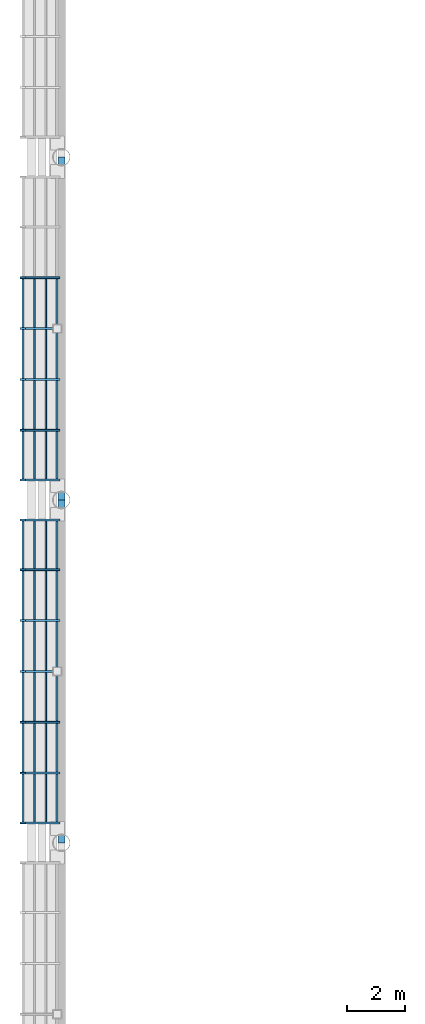
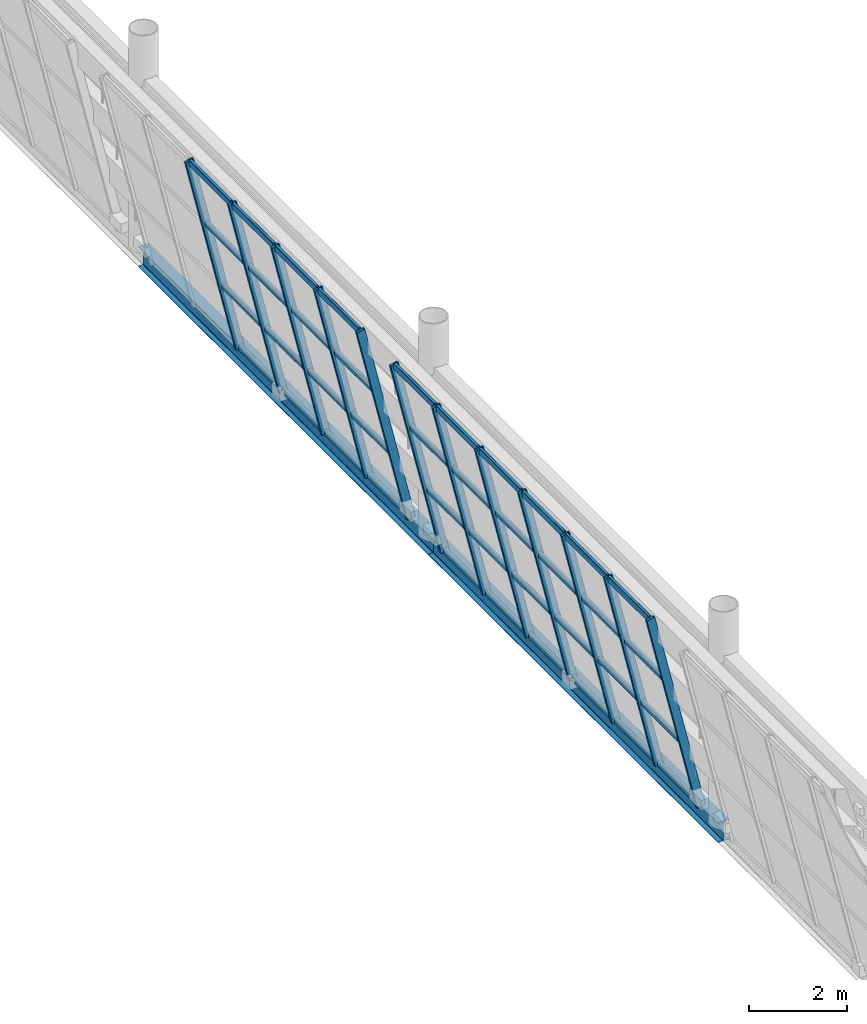
# One storey, part 32 of 175: 52 members, 2 beams, 2 elements without a shape of their own.
"""IFC4 building model written with IfcOpenShell, lengths in metres."""

from ifc_helpers import new_model, si_unit, direction, frame, origin, origin_2d, place, context, subcontext, project, spatial, hollow_rectangle, i_section, extrude, material, material_profile, profile_set, type_object, element, aggregate, save


model = new_model("IFC4")

# Units and contexts
model_context = context("Model", 3, precision=1e-05, world=origin(), true_north=direction((0.0, 1.0)))
body_context = subcontext(model_context, "Body", "Model", "MODEL_VIEW")
ifc_project = project(units=[si_unit("LENGTHUNIT", "METRE"), si_unit("AREAUNIT", "SQUARE_METRE"), si_unit("VOLUMEUNIT", "CUBIC_METRE"), si_unit("PLANEANGLEUNIT", "RADIAN"), si_unit("MASSUNIT", "GRAM", prefix="KILO")], contexts=[model_context])

# Site, building, storey
site_placement = place(None, origin())
site = spatial("IfcSite", under=ifc_project, at=site_placement, CompositionType="ELEMENT")
building_placement = place(site_placement, origin())
building = spatial("IfcBuilding", under=site, at=building_placement, Name="Brelvane Convention Centre", CompositionType="ELEMENT")
storey_placement = place(building_placement, frame((0.0, 0.0, 5.39990234375)))
storey = spatial("IfcBuildingStorey", under=building, at=storey_placement, Name="L01", CompositionType="ELEMENT", Elevation=5.39990234375)

# Curtain wall, members
ifc_material_1 = material(Name="Anodised Aluminium Alloy 6063-T6", Category="aluminium")
curtain_wall_type = type_object("IfcCurtainWallType", Name="Curtain Wall CW-HULL-S", PredefinedType="USERDEFINED", material=ifc_material_1)
curtain_wall_1_placement = place(storey_placement, origin())
curtain_wall_1 = element("IfcCurtainWall", 1, at=curtain_wall_1_placement, inside=storey, type_object=curtain_wall_type, Name="Curtain Wall CW-HULL-S L01-HULL-W-L01-4", ObjectType="UNITISED", PredefinedType="USERDEFINED")
ifc_material_2 = material(Name="Anodised Aluminium Alloy 6063-T6", Category="aluminium")
ifc_material_profile_1 = material_profile(ifc_material_2, hollow_rectangle(XDim=0.074951171875, YDim=0.199951171875, WallThickness=0.0048828125, InnerFilletRadius=0.0048828125, OuterFilletRadius=0.010009765625, at=origin_2d()), Name="ALU-M 200x75x5.0")
ifc_profile_set_1 = profile_set([ifc_material_profile_1], Name="Anodised Aluminium Alloy 6063-T6")
member_type_1 = type_object("IfcMemberType", Name="Curtain Mullion CW-M2", PredefinedType="MULLION", material=ifc_profile_set_1)
member_1_placement = place(storey_placement, frame((-0.139892578125, 64.887451171875, 0.02001953125), z_axis=(-0.228384734386, 0.0, 0.973570959458), x_axis=(0.0, -1.0, 0.0)))
member_1 = element("IfcMember", 2, at=member_1_placement, type_object=member_type_1, Name="CW-HULL-S mullion 1", PredefinedType="MULLION", context=body_context, shape_type="SweptSolid", body=[
    extrude(hollow_rectangle(XDim=0.074951171875, YDim=0.199951171875, WallThickness=0.0048828125, InnerFilletRadius=0.0048828125, OuterFilletRadius=0.010009765625, at=origin_2d()), origin(), (0.0, 0.0, 1.0), 5.197509765625),
])
member_2_placement = place(storey_placement, frame((-0.139892578125, 66.60009765625, 0.02001953125), z_axis=(-0.228384734386, 0.0, 0.973570959458), x_axis=(0.0, -1.0, 0.0)))
member_2 = element("IfcMember", 3, at=member_2_placement, type_object=member_type_1, Name="CW-HULL-S mullion 2", PredefinedType="MULLION", context=body_context, shape_type="SweptSolid", body=[
    extrude(hollow_rectangle(XDim=0.074951171875, YDim=0.199951171875, WallThickness=0.0048828125, InnerFilletRadius=0.0048828125, OuterFilletRadius=0.010009765625, at=origin_2d()), origin(), (0.0, 0.0, 1.0), 5.197509765625),
])
member_3_placement = place(storey_placement, frame((-0.139892578125, 68.35009765625, 0.02001953125), z_axis=(-0.228384734386, 0.0, 0.973570959458), x_axis=(0.0, -1.0, 0.0)))
member_3 = element("IfcMember", 4, at=member_3_placement, type_object=member_type_1, Name="CW-HULL-S mullion 3", PredefinedType="MULLION", context=body_context, shape_type="SweptSolid", body=[
    extrude(hollow_rectangle(XDim=0.074951171875, YDim=0.199951171875, WallThickness=0.0048828125, InnerFilletRadius=0.0048828125, OuterFilletRadius=0.010009765625, at=origin_2d()), origin(), (0.0, 0.0, 1.0), 5.197509765625),
])
member_4_placement = place(storey_placement, frame((-0.139892578125, 70.10009765625, 0.02001953125), z_axis=(-0.228384734386, 0.0, 0.973570959458), x_axis=(0.0, -1.0, 0.0)))
member_4 = element("IfcMember", 5, at=member_4_placement, type_object=member_type_1, Name="CW-HULL-S mullion 4", PredefinedType="MULLION", context=body_context, shape_type="SweptSolid", body=[
    extrude(hollow_rectangle(XDim=0.074951171875, YDim=0.199951171875, WallThickness=0.0048828125, InnerFilletRadius=0.0048828125, OuterFilletRadius=0.010009765625, at=origin_2d()), origin(), (0.0, 0.0, 1.0), 5.197509765625),
])
member_5_placement = place(storey_placement, frame((-0.139892578125, 71.85009765625, 0.02001953125), z_axis=(-0.228384734386, 0.0, 0.973570959458), x_axis=(0.0, -1.0, 0.0)))
member_5 = element("IfcMember", 6, at=member_5_placement, type_object=member_type_1, Name="CW-HULL-S mullion 5", PredefinedType="MULLION", context=body_context, shape_type="SweptSolid", body=[
    extrude(hollow_rectangle(XDim=0.074951171875, YDim=0.199951171875, WallThickness=0.0048828125, InnerFilletRadius=0.0048828125, OuterFilletRadius=0.010009765625, at=origin_2d()), origin(), (0.0, 0.0, 1.0), 5.197509765625),
])
member_6_placement = place(storey_placement, frame((-0.139892578125, 73.60009765625, 0.02001953125), z_axis=(-0.228384734386, 0.0, 0.973570959458), x_axis=(0.0, -1.0, 0.0)))
member_6 = element("IfcMember", 7, at=member_6_placement, type_object=member_type_1, Name="CW-HULL-S mullion 6", PredefinedType="MULLION", context=body_context, shape_type="SweptSolid", body=[
    extrude(hollow_rectangle(XDim=0.074951171875, YDim=0.199951171875, WallThickness=0.0048828125, InnerFilletRadius=0.0048828125, OuterFilletRadius=0.010009765625, at=origin_2d()), origin(), (0.0, 0.0, 1.0), 5.197509765625),
])
member_7_placement = place(storey_placement, frame((-0.139892578125, 75.3125, 0.02001953125), z_axis=(-0.228384734386, 0.0, 0.973570959458), x_axis=(0.0, -1.0, 0.0)))
member_7 = element("IfcMember", 8, at=member_7_placement, type_object=member_type_1, Name="CW-HULL-S mullion 7", PredefinedType="MULLION", context=body_context, shape_type="SweptSolid", body=[
    extrude(hollow_rectangle(XDim=0.074951171875, YDim=0.199951171875, WallThickness=0.0048828125, InnerFilletRadius=0.0048828125, OuterFilletRadius=0.010009765625, at=origin_2d()), origin(), (0.0, 0.0, 1.0), 5.197509765625),
])

curtain_wall_2_placement = place(storey_placement, origin())
curtain_wall_2 = element("IfcCurtainWall", 9, at=curtain_wall_2_placement, inside=storey, type_object=curtain_wall_type, Name="Curtain Wall CW-HULL-S L01-HULL-W-L01-5", ObjectType="UNITISED", PredefinedType="USERDEFINED")
member_8_placement = place(storey_placement, frame((-0.139892578125, 76.6875, 0.02001953125), z_axis=(-0.228384734386, 0.0, 0.973570959458), x_axis=(0.0, -1.0, 0.0)))
member_8 = element("IfcMember", 10, at=member_8_placement, type_object=member_type_1, Name="CW-HULL-S mullion 1", PredefinedType="MULLION", context=body_context, shape_type="SweptSolid", body=[
    extrude(hollow_rectangle(XDim=0.074951171875, YDim=0.199951171875, WallThickness=0.0048828125, InnerFilletRadius=0.0048828125, OuterFilletRadius=0.010009765625, at=origin_2d()), origin(), (0.0, 0.0, 1.0), 5.197509765625),
])
member_9_placement = place(storey_placement, frame((-0.139892578125, 78.39990234375, 0.02001953125), z_axis=(-0.228384734386, 0.0, 0.973570959458), x_axis=(0.0, -1.0, 0.0)))
member_9 = element("IfcMember", 11, at=member_9_placement, type_object=member_type_1, Name="CW-HULL-S mullion 2", PredefinedType="MULLION", context=body_context, shape_type="SweptSolid", body=[
    extrude(hollow_rectangle(XDim=0.074951171875, YDim=0.199951171875, WallThickness=0.0048828125, InnerFilletRadius=0.0048828125, OuterFilletRadius=0.010009765625, at=origin_2d()), origin(), (0.0, 0.0, 1.0), 5.197509765625),
])
member_10_placement = place(storey_placement, frame((-0.139892578125, 80.14990234375, 0.02001953125), z_axis=(-0.228384734386, 0.0, 0.973570959458), x_axis=(0.0, -1.0, 0.0)))
member_10 = element("IfcMember", 12, at=member_10_placement, type_object=member_type_1, Name="CW-HULL-S mullion 3", PredefinedType="MULLION", context=body_context, shape_type="SweptSolid", body=[
    extrude(hollow_rectangle(XDim=0.074951171875, YDim=0.199951171875, WallThickness=0.0048828125, InnerFilletRadius=0.0048828125, OuterFilletRadius=0.010009765625, at=origin_2d()), origin(), (0.0, 0.0, 1.0), 5.197509765625),
])
member_11_placement = place(storey_placement, frame((-0.139892578125, 81.89990234375, 0.02001953125), z_axis=(-0.228384734386, 0.0, 0.973570959458), x_axis=(0.0, -1.0, 0.0)))
member_11 = element("IfcMember", 13, at=member_11_placement, type_object=member_type_1, Name="CW-HULL-S mullion 4", PredefinedType="MULLION", context=body_context, shape_type="SweptSolid", body=[
    extrude(hollow_rectangle(XDim=0.074951171875, YDim=0.199951171875, WallThickness=0.0048828125, InnerFilletRadius=0.0048828125, OuterFilletRadius=0.010009765625, at=origin_2d()), origin(), (0.0, 0.0, 1.0), 5.197509765625),
])
member_12_placement = place(storey_placement, frame((-0.139892578125, 83.64990234375, 0.02001953125), z_axis=(-0.228384734386, 0.0, 0.973570959458), x_axis=(0.0, -1.0, 0.0)))
member_12 = element("IfcMember", 14, at=member_12_placement, type_object=member_type_1, Name="CW-HULL-S mullion 5", PredefinedType="MULLION", context=body_context, shape_type="SweptSolid", body=[
    extrude(hollow_rectangle(XDim=0.074951171875, YDim=0.199951171875, WallThickness=0.0048828125, InnerFilletRadius=0.0048828125, OuterFilletRadius=0.010009765625, at=origin_2d()), origin(), (0.0, 0.0, 1.0), 5.197509765625),
])

# Member
ifc_material_3 = material(Name="Anodised Aluminium Alloy 6063-T6", Category="aluminium")
ifc_material_profile_2 = material_profile(ifc_material_3, hollow_rectangle(XDim=0.070068359375, YDim=0.14990234375, WallThickness=0.00439453125, InnerFilletRadius=0.00439453125, OuterFilletRadius=0.009033203125, at=origin_2d()), Name="ALU-T 150x70x4.5")
ifc_profile_set_2 = profile_set([ifc_material_profile_2], Name="Anodised Aluminium Alloy 6063-T6")
member_type_2 = type_object("IfcMemberType", Name="Curtain Transom CW-T2", PredefinedType="USERDEFINED", material=ifc_profile_set_2)
member_13_placement = place(storey_placement, frame((-0.148193359375, 64.925048828125, 0.05517578125), z_axis=(0.0, 1.0, 0.0), x_axis=(-1.0, 0.0, 0.0)))
member_13 = element("IfcMember", 15, at=member_13_placement, type_object=member_type_2, Name="CW-HULL-S transom 1.1", ObjectType="TRANSOM", PredefinedType="USERDEFINED", context=body_context, shape_type="SweptSolid", body=[
    extrude(hollow_rectangle(XDim=0.070068359375, YDim=0.14990234375, WallThickness=0.00439453125, InnerFilletRadius=0.00439453125, OuterFilletRadius=0.009033203125, at=origin_2d()), origin(), (0.0, 0.0, 1.0), 1.637451171875),
])

member_14_placement = place(storey_placement, frame((-0.53564453125, 64.925048828125, 1.706787109375), z_axis=(0.0, 1.0, 0.0), x_axis=(-1.0, 0.0, 0.0)))
member_14 = element("IfcMember", 16, at=member_14_placement, type_object=member_type_2, Name="CW-HULL-S transom 1.2", ObjectType="TRANSOM", PredefinedType="USERDEFINED", context=body_context, shape_type="SweptSolid", body=[
    extrude(hollow_rectangle(XDim=0.070068359375, YDim=0.14990234375, WallThickness=0.00439453125, InnerFilletRadius=0.00439453125, OuterFilletRadius=0.009033203125, at=origin_2d()), origin(), (0.0, 0.0, 1.0), 1.637451171875),
])

member_15_placement = place(storey_placement, frame((-0.93115234375, 64.925048828125, 3.393310546875), z_axis=(0.0, 1.0, 0.0), x_axis=(-1.0, 0.0, 0.0)))
member_15 = element("IfcMember", 17, at=member_15_placement, type_object=member_type_2, Name="CW-HULL-S transom 1.3", ObjectType="TRANSOM", PredefinedType="USERDEFINED", context=body_context, shape_type="SweptSolid", body=[
    extrude(hollow_rectangle(XDim=0.070068359375, YDim=0.14990234375, WallThickness=0.00439453125, InnerFilletRadius=0.00439453125, OuterFilletRadius=0.009033203125, at=origin_2d()), origin(), (0.0, 0.0, 1.0), 1.637451171875),
])

member_16_placement = place(storey_placement, frame((-1.318603515625, 64.925048828125, 5.045166015625), z_axis=(0.0, 1.0, 0.0), x_axis=(-1.0, 0.0, 0.0)))
member_16 = element("IfcMember", 18, at=member_16_placement, type_object=member_type_2, Name="CW-HULL-S transom 1.4", ObjectType="TRANSOM", PredefinedType="USERDEFINED", context=body_context, shape_type="SweptSolid", body=[
    extrude(hollow_rectangle(XDim=0.070068359375, YDim=0.14990234375, WallThickness=0.00439453125, InnerFilletRadius=0.00439453125, OuterFilletRadius=0.009033203125, at=origin_2d()), origin(), (0.0, 0.0, 1.0), 1.637451171875),
])

member_17_placement = place(storey_placement, frame((-0.148193359375, 66.637451171875, 0.05517578125), z_axis=(0.0, 1.0, 0.0), x_axis=(-1.0, 0.0, 0.0)))
member_17 = element("IfcMember", 19, at=member_17_placement, type_object=member_type_2, Name="CW-HULL-S transom 2.1", ObjectType="TRANSOM", PredefinedType="USERDEFINED", context=body_context, shape_type="SweptSolid", body=[
    extrude(hollow_rectangle(XDim=0.070068359375, YDim=0.14990234375, WallThickness=0.00439453125, InnerFilletRadius=0.00439453125, OuterFilletRadius=0.009033203125, at=origin_2d()), origin(), (0.0, 0.0, 1.0), 1.675048828125),
])

member_18_placement = place(storey_placement, frame((-0.53564453125, 66.637451171875, 1.706787109375), z_axis=(0.0, 1.0, 0.0), x_axis=(-1.0, 0.0, 0.0)))
member_18 = element("IfcMember", 20, at=member_18_placement, type_object=member_type_2, Name="CW-HULL-S transom 2.2", ObjectType="TRANSOM", PredefinedType="USERDEFINED", context=body_context, shape_type="SweptSolid", body=[
    extrude(hollow_rectangle(XDim=0.070068359375, YDim=0.14990234375, WallThickness=0.00439453125, InnerFilletRadius=0.00439453125, OuterFilletRadius=0.009033203125, at=origin_2d()), origin(), (0.0, 0.0, 1.0), 1.675048828125),
])

member_19_placement = place(storey_placement, frame((-0.93115234375, 66.637451171875, 3.393310546875), z_axis=(0.0, 1.0, 0.0), x_axis=(-1.0, 0.0, 0.0)))
member_19 = element("IfcMember", 21, at=member_19_placement, type_object=member_type_2, Name="CW-HULL-S transom 2.3", ObjectType="TRANSOM", PredefinedType="USERDEFINED", context=body_context, shape_type="SweptSolid", body=[
    extrude(hollow_rectangle(XDim=0.070068359375, YDim=0.14990234375, WallThickness=0.00439453125, InnerFilletRadius=0.00439453125, OuterFilletRadius=0.009033203125, at=origin_2d()), origin(), (0.0, 0.0, 1.0), 1.675048828125),
])

member_20_placement = place(storey_placement, frame((-1.318603515625, 66.637451171875, 5.045166015625), z_axis=(0.0, 1.0, 0.0), x_axis=(-1.0, 0.0, 0.0)))
member_20 = element("IfcMember", 22, at=member_20_placement, type_object=member_type_2, Name="CW-HULL-S transom 2.4", ObjectType="TRANSOM", PredefinedType="USERDEFINED", context=body_context, shape_type="SweptSolid", body=[
    extrude(hollow_rectangle(XDim=0.070068359375, YDim=0.14990234375, WallThickness=0.00439453125, InnerFilletRadius=0.00439453125, OuterFilletRadius=0.009033203125, at=origin_2d()), origin(), (0.0, 0.0, 1.0), 1.675048828125),
])

member_21_placement = place(storey_placement, frame((-0.148193359375, 68.387451171875, 0.05517578125), z_axis=(0.0, 1.0, 0.0), x_axis=(-1.0, 0.0, 0.0)))
member_21 = element("IfcMember", 23, at=member_21_placement, type_object=member_type_2, Name="CW-HULL-S transom 3.1", ObjectType="TRANSOM", PredefinedType="USERDEFINED", context=body_context, shape_type="SweptSolid", body=[
    extrude(hollow_rectangle(XDim=0.070068359375, YDim=0.14990234375, WallThickness=0.00439453125, InnerFilletRadius=0.00439453125, OuterFilletRadius=0.009033203125, at=origin_2d()), origin(), (0.0, 0.0, 1.0), 1.675048828125),
])

member_22_placement = place(storey_placement, frame((-0.53564453125, 68.387451171875, 1.706787109375), z_axis=(0.0, 1.0, 0.0), x_axis=(-1.0, 0.0, 0.0)))
member_22 = element("IfcMember", 24, at=member_22_placement, type_object=member_type_2, Name="CW-HULL-S transom 3.2", ObjectType="TRANSOM", PredefinedType="USERDEFINED", context=body_context, shape_type="SweptSolid", body=[
    extrude(hollow_rectangle(XDim=0.070068359375, YDim=0.14990234375, WallThickness=0.00439453125, InnerFilletRadius=0.00439453125, OuterFilletRadius=0.009033203125, at=origin_2d()), origin(), (0.0, 0.0, 1.0), 1.675048828125),
])

member_23_placement = place(storey_placement, frame((-0.93115234375, 68.387451171875, 3.393310546875), z_axis=(0.0, 1.0, 0.0), x_axis=(-1.0, 0.0, 0.0)))
member_23 = element("IfcMember", 25, at=member_23_placement, type_object=member_type_2, Name="CW-HULL-S transom 3.3", ObjectType="TRANSOM", PredefinedType="USERDEFINED", context=body_context, shape_type="SweptSolid", body=[
    extrude(hollow_rectangle(XDim=0.070068359375, YDim=0.14990234375, WallThickness=0.00439453125, InnerFilletRadius=0.00439453125, OuterFilletRadius=0.009033203125, at=origin_2d()), origin(), (0.0, 0.0, 1.0), 1.675048828125),
])

member_24_placement = place(storey_placement, frame((-1.318603515625, 68.387451171875, 5.045166015625), z_axis=(0.0, 1.0, 0.0), x_axis=(-1.0, 0.0, 0.0)))
member_24 = element("IfcMember", 26, at=member_24_placement, type_object=member_type_2, Name="CW-HULL-S transom 3.4", ObjectType="TRANSOM", PredefinedType="USERDEFINED", context=body_context, shape_type="SweptSolid", body=[
    extrude(hollow_rectangle(XDim=0.070068359375, YDim=0.14990234375, WallThickness=0.00439453125, InnerFilletRadius=0.00439453125, OuterFilletRadius=0.009033203125, at=origin_2d()), origin(), (0.0, 0.0, 1.0), 1.675048828125),
])

member_25_placement = place(storey_placement, frame((-0.148193359375, 70.137451171875, 0.05517578125), z_axis=(0.0, 1.0, 0.0), x_axis=(-1.0, 0.0, 0.0)))
member_25 = element("IfcMember", 27, at=member_25_placement, type_object=member_type_2, Name="CW-HULL-S transom 4.1", ObjectType="TRANSOM", PredefinedType="USERDEFINED", context=body_context, shape_type="SweptSolid", body=[
    extrude(hollow_rectangle(XDim=0.070068359375, YDim=0.14990234375, WallThickness=0.00439453125, InnerFilletRadius=0.00439453125, OuterFilletRadius=0.009033203125, at=origin_2d()), origin(), (0.0, 0.0, 1.0), 1.675048828125),
])

member_26_placement = place(storey_placement, frame((-0.53564453125, 70.137451171875, 1.706787109375), z_axis=(0.0, 1.0, 0.0), x_axis=(-1.0, 0.0, 0.0)))
member_26 = element("IfcMember", 28, at=member_26_placement, type_object=member_type_2, Name="CW-HULL-S transom 4.2", ObjectType="TRANSOM", PredefinedType="USERDEFINED", context=body_context, shape_type="SweptSolid", body=[
    extrude(hollow_rectangle(XDim=0.070068359375, YDim=0.14990234375, WallThickness=0.00439453125, InnerFilletRadius=0.00439453125, OuterFilletRadius=0.009033203125, at=origin_2d()), origin(), (0.0, 0.0, 1.0), 1.675048828125),
])

member_27_placement = place(storey_placement, frame((-0.93115234375, 70.137451171875, 3.393310546875), z_axis=(0.0, 1.0, 0.0), x_axis=(-1.0, 0.0, 0.0)))
member_27 = element("IfcMember", 29, at=member_27_placement, type_object=member_type_2, Name="CW-HULL-S transom 4.3", ObjectType="TRANSOM", PredefinedType="USERDEFINED", context=body_context, shape_type="SweptSolid", body=[
    extrude(hollow_rectangle(XDim=0.070068359375, YDim=0.14990234375, WallThickness=0.00439453125, InnerFilletRadius=0.00439453125, OuterFilletRadius=0.009033203125, at=origin_2d()), origin(), (0.0, 0.0, 1.0), 1.675048828125),
])

member_28_placement = place(storey_placement, frame((-1.318603515625, 70.137451171875, 5.045166015625), z_axis=(0.0, 1.0, 0.0), x_axis=(-1.0, 0.0, 0.0)))
member_28 = element("IfcMember", 30, at=member_28_placement, type_object=member_type_2, Name="CW-HULL-S transom 4.4", ObjectType="TRANSOM", PredefinedType="USERDEFINED", context=body_context, shape_type="SweptSolid", body=[
    extrude(hollow_rectangle(XDim=0.070068359375, YDim=0.14990234375, WallThickness=0.00439453125, InnerFilletRadius=0.00439453125, OuterFilletRadius=0.009033203125, at=origin_2d()), origin(), (0.0, 0.0, 1.0), 1.675048828125),
])

member_29_placement = place(storey_placement, frame((-0.148193359375, 71.887451171875, 0.05517578125), z_axis=(0.0, 1.0, 0.0), x_axis=(-1.0, 0.0, 0.0)))
member_29 = element("IfcMember", 31, at=member_29_placement, type_object=member_type_2, Name="CW-HULL-S transom 5.1", ObjectType="TRANSOM", PredefinedType="USERDEFINED", context=body_context, shape_type="SweptSolid", body=[
    extrude(hollow_rectangle(XDim=0.070068359375, YDim=0.14990234375, WallThickness=0.00439453125, InnerFilletRadius=0.00439453125, OuterFilletRadius=0.009033203125, at=origin_2d()), origin(), (0.0, 0.0, 1.0), 1.675048828125),
])

member_30_placement = place(storey_placement, frame((-0.53564453125, 71.887451171875, 1.706787109375), z_axis=(0.0, 1.0, 0.0), x_axis=(-1.0, 0.0, 0.0)))
member_30 = element("IfcMember", 32, at=member_30_placement, type_object=member_type_2, Name="CW-HULL-S transom 5.2", ObjectType="TRANSOM", PredefinedType="USERDEFINED", context=body_context, shape_type="SweptSolid", body=[
    extrude(hollow_rectangle(XDim=0.070068359375, YDim=0.14990234375, WallThickness=0.00439453125, InnerFilletRadius=0.00439453125, OuterFilletRadius=0.009033203125, at=origin_2d()), origin(), (0.0, 0.0, 1.0), 1.675048828125),
])

member_31_placement = place(storey_placement, frame((-0.93115234375, 71.887451171875, 3.393310546875), z_axis=(0.0, 1.0, 0.0), x_axis=(-1.0, 0.0, 0.0)))
member_31 = element("IfcMember", 33, at=member_31_placement, type_object=member_type_2, Name="CW-HULL-S transom 5.3", ObjectType="TRANSOM", PredefinedType="USERDEFINED", context=body_context, shape_type="SweptSolid", body=[
    extrude(hollow_rectangle(XDim=0.070068359375, YDim=0.14990234375, WallThickness=0.00439453125, InnerFilletRadius=0.00439453125, OuterFilletRadius=0.009033203125, at=origin_2d()), origin(), (0.0, 0.0, 1.0), 1.675048828125),
])

member_32_placement = place(storey_placement, frame((-1.318603515625, 71.887451171875, 5.045166015625), z_axis=(0.0, 1.0, 0.0), x_axis=(-1.0, 0.0, 0.0)))
member_32 = element("IfcMember", 34, at=member_32_placement, type_object=member_type_2, Name="CW-HULL-S transom 5.4", ObjectType="TRANSOM", PredefinedType="USERDEFINED", context=body_context, shape_type="SweptSolid", body=[
    extrude(hollow_rectangle(XDim=0.070068359375, YDim=0.14990234375, WallThickness=0.00439453125, InnerFilletRadius=0.00439453125, OuterFilletRadius=0.009033203125, at=origin_2d()), origin(), (0.0, 0.0, 1.0), 1.675048828125),
])

member_33_placement = place(storey_placement, frame((-0.148193359375, 73.637451171875, 0.05517578125), z_axis=(0.0, 1.0, 0.0), x_axis=(-1.0, 0.0, 0.0)))
member_33 = element("IfcMember", 35, at=member_33_placement, type_object=member_type_2, Name="CW-HULL-S transom 6.1", ObjectType="TRANSOM", PredefinedType="USERDEFINED", context=body_context, shape_type="SweptSolid", body=[
    extrude(hollow_rectangle(XDim=0.070068359375, YDim=0.14990234375, WallThickness=0.00439453125, InnerFilletRadius=0.00439453125, OuterFilletRadius=0.009033203125, at=origin_2d()), origin(), (0.0, 0.0, 1.0), 1.637451171875),
])

member_34_placement = place(storey_placement, frame((-0.53564453125, 73.637451171875, 1.706787109375), z_axis=(0.0, 1.0, 0.0), x_axis=(-1.0, 0.0, 0.0)))
member_34 = element("IfcMember", 36, at=member_34_placement, type_object=member_type_2, Name="CW-HULL-S transom 6.2", ObjectType="TRANSOM", PredefinedType="USERDEFINED", context=body_context, shape_type="SweptSolid", body=[
    extrude(hollow_rectangle(XDim=0.070068359375, YDim=0.14990234375, WallThickness=0.00439453125, InnerFilletRadius=0.00439453125, OuterFilletRadius=0.009033203125, at=origin_2d()), origin(), (0.0, 0.0, 1.0), 1.637451171875),
])

member_35_placement = place(storey_placement, frame((-0.93115234375, 73.637451171875, 3.393310546875), z_axis=(0.0, 1.0, 0.0), x_axis=(-1.0, 0.0, 0.0)))
member_35 = element("IfcMember", 37, at=member_35_placement, type_object=member_type_2, Name="CW-HULL-S transom 6.3", ObjectType="TRANSOM", PredefinedType="USERDEFINED", context=body_context, shape_type="SweptSolid", body=[
    extrude(hollow_rectangle(XDim=0.070068359375, YDim=0.14990234375, WallThickness=0.00439453125, InnerFilletRadius=0.00439453125, OuterFilletRadius=0.009033203125, at=origin_2d()), origin(), (0.0, 0.0, 1.0), 1.637451171875),
])

member_36_placement = place(storey_placement, frame((-1.318603515625, 73.637451171875, 5.045166015625), z_axis=(0.0, 1.0, 0.0), x_axis=(-1.0, 0.0, 0.0)))
member_36 = element("IfcMember", 38, at=member_36_placement, type_object=member_type_2, Name="CW-HULL-S transom 6.4", ObjectType="TRANSOM", PredefinedType="USERDEFINED", context=body_context, shape_type="SweptSolid", body=[
    extrude(hollow_rectangle(XDim=0.070068359375, YDim=0.14990234375, WallThickness=0.00439453125, InnerFilletRadius=0.00439453125, OuterFilletRadius=0.009033203125, at=origin_2d()), origin(), (0.0, 0.0, 1.0), 1.637451171875),
])

aggregate(curtain_wall_1, [member_1, member_2, member_3, member_4, member_5, member_6, member_7, member_13, member_14, member_15, member_16, member_17, member_18, member_19, member_20, member_21, member_22, member_23, member_24, member_25, member_26, member_27, member_28, member_29, member_30, member_31, member_32, member_33, member_34, member_35, member_36])

member_37_placement = place(storey_placement, frame((-0.148193359375, 76.72509765625, 0.05517578125), z_axis=(0.0, 1.0, 0.0), x_axis=(-1.0, 0.0, 0.0)))
member_37 = element("IfcMember", 39, at=member_37_placement, type_object=member_type_2, Name="CW-HULL-S transom 1.1", ObjectType="TRANSOM", PredefinedType="USERDEFINED", context=body_context, shape_type="SweptSolid", body=[
    extrude(hollow_rectangle(XDim=0.070068359375, YDim=0.14990234375, WallThickness=0.00439453125, InnerFilletRadius=0.00439453125, OuterFilletRadius=0.009033203125, at=origin_2d()), origin(), (0.0, 0.0, 1.0), 1.637451171875),
])

member_38_placement = place(storey_placement, frame((-0.53564453125, 76.72509765625, 1.706787109375), z_axis=(0.0, 1.0, 0.0), x_axis=(-1.0, 0.0, 0.0)))
member_38 = element("IfcMember", 40, at=member_38_placement, type_object=member_type_2, Name="CW-HULL-S transom 1.2", ObjectType="TRANSOM", PredefinedType="USERDEFINED", context=body_context, shape_type="SweptSolid", body=[
    extrude(hollow_rectangle(XDim=0.070068359375, YDim=0.14990234375, WallThickness=0.00439453125, InnerFilletRadius=0.00439453125, OuterFilletRadius=0.009033203125, at=origin_2d()), origin(), (0.0, 0.0, 1.0), 1.637451171875),
])

member_39_placement = place(storey_placement, frame((-0.93115234375, 76.72509765625, 3.393310546875), z_axis=(0.0, 1.0, 0.0), x_axis=(-1.0, 0.0, 0.0)))
member_39 = element("IfcMember", 41, at=member_39_placement, type_object=member_type_2, Name="CW-HULL-S transom 1.3", ObjectType="TRANSOM", PredefinedType="USERDEFINED", context=body_context, shape_type="SweptSolid", body=[
    extrude(hollow_rectangle(XDim=0.070068359375, YDim=0.14990234375, WallThickness=0.00439453125, InnerFilletRadius=0.00439453125, OuterFilletRadius=0.009033203125, at=origin_2d()), origin(), (0.0, 0.0, 1.0), 1.637451171875),
])

member_40_placement = place(storey_placement, frame((-1.318603515625, 76.72509765625, 5.045166015625), z_axis=(0.0, 1.0, 0.0), x_axis=(-1.0, 0.0, 0.0)))
member_40 = element("IfcMember", 42, at=member_40_placement, type_object=member_type_2, Name="CW-HULL-S transom 1.4", ObjectType="TRANSOM", PredefinedType="USERDEFINED", context=body_context, shape_type="SweptSolid", body=[
    extrude(hollow_rectangle(XDim=0.070068359375, YDim=0.14990234375, WallThickness=0.00439453125, InnerFilletRadius=0.00439453125, OuterFilletRadius=0.009033203125, at=origin_2d()), origin(), (0.0, 0.0, 1.0), 1.637451171875),
])

member_41_placement = place(storey_placement, frame((-0.148193359375, 78.4375, 0.05517578125), z_axis=(0.0, 1.0, 0.0), x_axis=(-1.0, 0.0, 0.0)))
member_41 = element("IfcMember", 43, at=member_41_placement, type_object=member_type_2, Name="CW-HULL-S transom 2.1", ObjectType="TRANSOM", PredefinedType="USERDEFINED", context=body_context, shape_type="SweptSolid", body=[
    extrude(hollow_rectangle(XDim=0.070068359375, YDim=0.14990234375, WallThickness=0.00439453125, InnerFilletRadius=0.00439453125, OuterFilletRadius=0.009033203125, at=origin_2d()), origin(), (0.0, 0.0, 1.0), 1.675048828125),
])

member_42_placement = place(storey_placement, frame((-0.53564453125, 78.4375, 1.706787109375), z_axis=(0.0, 1.0, 0.0), x_axis=(-1.0, 0.0, 0.0)))
member_42 = element("IfcMember", 44, at=member_42_placement, type_object=member_type_2, Name="CW-HULL-S transom 2.2", ObjectType="TRANSOM", PredefinedType="USERDEFINED", context=body_context, shape_type="SweptSolid", body=[
    extrude(hollow_rectangle(XDim=0.070068359375, YDim=0.14990234375, WallThickness=0.00439453125, InnerFilletRadius=0.00439453125, OuterFilletRadius=0.009033203125, at=origin_2d()), origin(), (0.0, 0.0, 1.0), 1.675048828125),
])

member_43_placement = place(storey_placement, frame((-0.93115234375, 78.4375, 3.393310546875), z_axis=(0.0, 1.0, 0.0), x_axis=(-1.0, 0.0, 0.0)))
member_43 = element("IfcMember", 45, at=member_43_placement, type_object=member_type_2, Name="CW-HULL-S transom 2.3", ObjectType="TRANSOM", PredefinedType="USERDEFINED", context=body_context, shape_type="SweptSolid", body=[
    extrude(hollow_rectangle(XDim=0.070068359375, YDim=0.14990234375, WallThickness=0.00439453125, InnerFilletRadius=0.00439453125, OuterFilletRadius=0.009033203125, at=origin_2d()), origin(), (0.0, 0.0, 1.0), 1.675048828125),
])

member_44_placement = place(storey_placement, frame((-1.318603515625, 78.4375, 5.045166015625), z_axis=(0.0, 1.0, 0.0), x_axis=(-1.0, 0.0, 0.0)))
member_44 = element("IfcMember", 46, at=member_44_placement, type_object=member_type_2, Name="CW-HULL-S transom 2.4", ObjectType="TRANSOM", PredefinedType="USERDEFINED", context=body_context, shape_type="SweptSolid", body=[
    extrude(hollow_rectangle(XDim=0.070068359375, YDim=0.14990234375, WallThickness=0.00439453125, InnerFilletRadius=0.00439453125, OuterFilletRadius=0.009033203125, at=origin_2d()), origin(), (0.0, 0.0, 1.0), 1.675048828125),
])

member_45_placement = place(storey_placement, frame((-0.148193359375, 80.1875, 0.05517578125), z_axis=(0.0, 1.0, 0.0), x_axis=(-1.0, 0.0, 0.0)))
member_45 = element("IfcMember", 47, at=member_45_placement, type_object=member_type_2, Name="CW-HULL-S transom 3.1", ObjectType="TRANSOM", PredefinedType="USERDEFINED", context=body_context, shape_type="SweptSolid", body=[
    extrude(hollow_rectangle(XDim=0.070068359375, YDim=0.14990234375, WallThickness=0.00439453125, InnerFilletRadius=0.00439453125, OuterFilletRadius=0.009033203125, at=origin_2d()), origin(), (0.0, 0.0, 1.0), 1.675048828125),
])

member_46_placement = place(storey_placement, frame((-0.53564453125, 80.1875, 1.706787109375), z_axis=(0.0, 1.0, 0.0), x_axis=(-1.0, 0.0, 0.0)))
member_46 = element("IfcMember", 48, at=member_46_placement, type_object=member_type_2, Name="CW-HULL-S transom 3.2", ObjectType="TRANSOM", PredefinedType="USERDEFINED", context=body_context, shape_type="SweptSolid", body=[
    extrude(hollow_rectangle(XDim=0.070068359375, YDim=0.14990234375, WallThickness=0.00439453125, InnerFilletRadius=0.00439453125, OuterFilletRadius=0.009033203125, at=origin_2d()), origin(), (0.0, 0.0, 1.0), 1.675048828125),
])

member_47_placement = place(storey_placement, frame((-0.93115234375, 80.1875, 3.393310546875), z_axis=(0.0, 1.0, 0.0), x_axis=(-1.0, 0.0, 0.0)))
member_47 = element("IfcMember", 49, at=member_47_placement, type_object=member_type_2, Name="CW-HULL-S transom 3.3", ObjectType="TRANSOM", PredefinedType="USERDEFINED", context=body_context, shape_type="SweptSolid", body=[
    extrude(hollow_rectangle(XDim=0.070068359375, YDim=0.14990234375, WallThickness=0.00439453125, InnerFilletRadius=0.00439453125, OuterFilletRadius=0.009033203125, at=origin_2d()), origin(), (0.0, 0.0, 1.0), 1.675048828125),
])

member_48_placement = place(storey_placement, frame((-1.318603515625, 80.1875, 5.045166015625), z_axis=(0.0, 1.0, 0.0), x_axis=(-1.0, 0.0, 0.0)))
member_48 = element("IfcMember", 50, at=member_48_placement, type_object=member_type_2, Name="CW-HULL-S transom 3.4", ObjectType="TRANSOM", PredefinedType="USERDEFINED", context=body_context, shape_type="SweptSolid", body=[
    extrude(hollow_rectangle(XDim=0.070068359375, YDim=0.14990234375, WallThickness=0.00439453125, InnerFilletRadius=0.00439453125, OuterFilletRadius=0.009033203125, at=origin_2d()), origin(), (0.0, 0.0, 1.0), 1.675048828125),
])

member_49_placement = place(storey_placement, frame((-0.148193359375, 81.9375, 0.05517578125), z_axis=(0.0, 1.0, 0.0), x_axis=(-1.0, 0.0, 0.0)))
member_49 = element("IfcMember", 51, at=member_49_placement, type_object=member_type_2, Name="CW-HULL-S transom 4.1", ObjectType="TRANSOM", PredefinedType="USERDEFINED", context=body_context, shape_type="SweptSolid", body=[
    extrude(hollow_rectangle(XDim=0.070068359375, YDim=0.14990234375, WallThickness=0.00439453125, InnerFilletRadius=0.00439453125, OuterFilletRadius=0.009033203125, at=origin_2d()), origin(), (0.0, 0.0, 1.0), 1.675048828125),
])

member_50_placement = place(storey_placement, frame((-0.53564453125, 81.9375, 1.706787109375), z_axis=(0.0, 1.0, 0.0), x_axis=(-1.0, 0.0, 0.0)))
member_50 = element("IfcMember", 52, at=member_50_placement, type_object=member_type_2, Name="CW-HULL-S transom 4.2", ObjectType="TRANSOM", PredefinedType="USERDEFINED", context=body_context, shape_type="SweptSolid", body=[
    extrude(hollow_rectangle(XDim=0.070068359375, YDim=0.14990234375, WallThickness=0.00439453125, InnerFilletRadius=0.00439453125, OuterFilletRadius=0.009033203125, at=origin_2d()), origin(), (0.0, 0.0, 1.0), 1.675048828125),
])

member_51_placement = place(storey_placement, frame((-0.93115234375, 81.9375, 3.393310546875), z_axis=(0.0, 1.0, 0.0), x_axis=(-1.0, 0.0, 0.0)))
member_51 = element("IfcMember", 53, at=member_51_placement, type_object=member_type_2, Name="CW-HULL-S transom 4.3", ObjectType="TRANSOM", PredefinedType="USERDEFINED", context=body_context, shape_type="SweptSolid", body=[
    extrude(hollow_rectangle(XDim=0.070068359375, YDim=0.14990234375, WallThickness=0.00439453125, InnerFilletRadius=0.00439453125, OuterFilletRadius=0.009033203125, at=origin_2d()), origin(), (0.0, 0.0, 1.0), 1.675048828125),
])

member_52_placement = place(storey_placement, frame((-1.318603515625, 81.9375, 5.045166015625), z_axis=(0.0, 1.0, 0.0), x_axis=(-1.0, 0.0, 0.0)))
member_52 = element("IfcMember", 54, at=member_52_placement, type_object=member_type_2, Name="CW-HULL-S transom 4.4", ObjectType="TRANSOM", PredefinedType="USERDEFINED", context=body_context, shape_type="SweptSolid", body=[
    extrude(hollow_rectangle(XDim=0.070068359375, YDim=0.14990234375, WallThickness=0.00439453125, InnerFilletRadius=0.00439453125, OuterFilletRadius=0.009033203125, at=origin_2d()), origin(), (0.0, 0.0, 1.0), 1.675048828125),
])

aggregate(curtain_wall_2, [member_8, member_9, member_10, member_11, member_12, member_37, member_38, member_39, member_40, member_41, member_42, member_43, member_44, member_45, member_46, member_47, member_48, member_49, member_50, member_51, member_52])

# Beams
ifc_material_4 = material(Name="Steel E350 (350 MPa)", Category="steel")
ifc_material_profile_3 = material_profile(ifc_material_4, i_section(OverallWidth=0.25, OverallDepth=0.5, WebThickness=0.010009765625, FlangeThickness=0.0146484375, FilletRadius=0.01611328125, at=origin_2d()), Name="ISWB 500")
ifc_profile_set_3 = profile_set([ifc_material_profile_3], Name="Steel E350 (350 MPa)")
beam_type = type_object("IfcBeamType", Name="Steel Spandrel SP-ST1 (ISWB 500)", PredefinedType="SPANDREL", material=ifc_profile_set_3)
for number, where, z_axis, x_axis, name in (
    (55, (0.0, 64.199951171875, -0.25), (0.0, 1.0, 0.0), (-1.0, 0.0, 0.0), "West Hull Wall Girt L01-4"),
    (56, (0.0, 76.0, -0.25), (0.0, 1.0, 0.0), (-1.0, 0.0, 0.0), "West Hull Wall Girt L01-5"),
):
    element("IfcBeam", number, at=place(storey_placement, frame(where, z_axis=z_axis, x_axis=x_axis)), inside=storey, type_object=beam_type, Name=name, PredefinedType="SPANDREL", context=body_context, shape_type="SweptSolid", body=[
        extrude(i_section(OverallWidth=0.25, OverallDepth=0.5, WebThickness=0.010009765625, FlangeThickness=0.0146484375, FilletRadius=0.01611328125, at=origin_2d()), origin(), (0.0, 0.0, 1.0), 11.800048828125),
    ])

save(model, "model.ifc")
